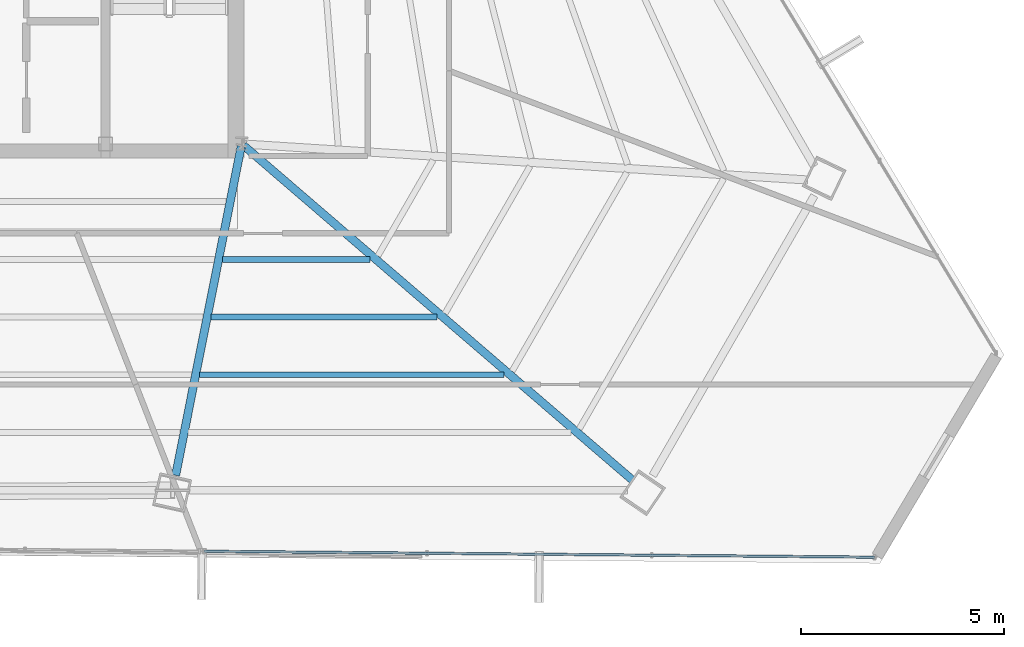
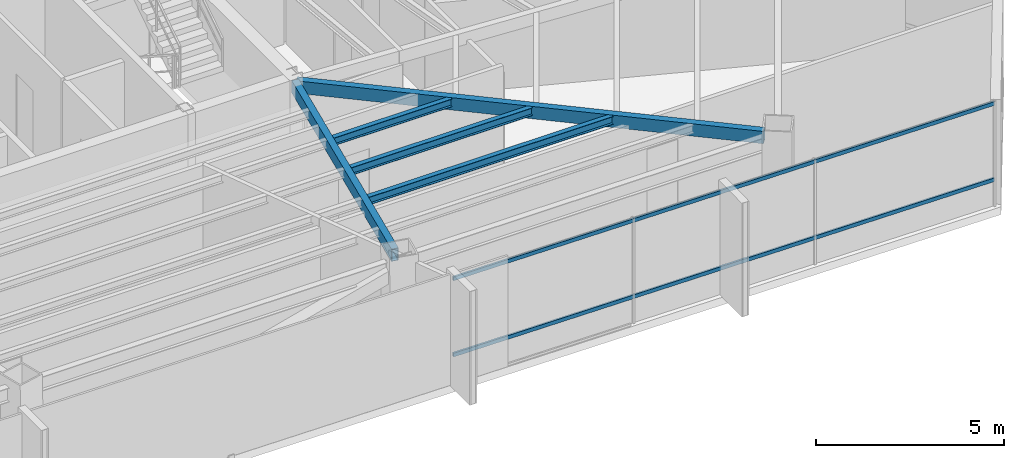
# One storey, part 23 of 47: 5 beams, 2 members, 1 element without a shape of its own.
"""IFC4 building model written with IfcOpenShell, lengths in metres."""

from ifc_helpers import new_model, si_unit, direction, frame, origin, origin_2d, place, context, subcontext, project, spatial, hollow_rectangle, i_section, extrude, source, transform, mapped, material, material_profile, profile_set, type_object, type_shapes, element, aggregate, save


model = new_model("IFC4")

# Units and contexts
model_context = context("Model", 3, precision=1e-05, world=origin(), true_north=direction((0.0, 1.0)))
body_context = subcontext(model_context, "Body", "Model", "MODEL_VIEW")
ifc_project = project(units=[si_unit("LENGTHUNIT", "METRE"), si_unit("AREAUNIT", "SQUARE_METRE"), si_unit("VOLUMEUNIT", "CUBIC_METRE"), si_unit("PLANEANGLEUNIT", "RADIAN"), si_unit("MASSUNIT", "GRAM", prefix="KILO")], contexts=[model_context])

# Site, building, storey
site_placement = place(None, origin())
site = spatial("IfcSite", under=ifc_project, at=site_placement, CompositionType="ELEMENT")
building_placement = place(site_placement, origin())
building = spatial("IfcBuilding", under=site, at=building_placement, Name="Caelisora Broadcast Tower", CompositionType="ELEMENT")
storey_placement = place(building_placement, frame((0.0, 0.0, 229.85009765625)))
storey = spatial("IfcBuildingStorey", under=building, at=storey_placement, Name="L60", CompositionType="ELEMENT", Elevation=229.85009765625)

# Beams
ifc_material_1 = material(Name="Steel Grade 350 (AS/NZS 1163 C350L0)", Category="steel")
ifc_material_profile_1 = material_profile(ifc_material_1, hollow_rectangle(XDim=0.199951171875, YDim=0.39990234375, WallThickness=0.012451171875, at=origin_2d()), Name="Steel Grade 350 (AS/NZS 1163 C350L0)")
ifc_profile_set_1 = profile_set([ifc_material_profile_1], Name="Steel Grade 350 (AS/NZS 1163 C350L0)")
beam_type_1 = type_object("IfcBeamType", Name="PG07", PredefinedType="BEAM", material=ifc_profile_set_1)
shared_shape_1 = source(origin(), body_context, "Body", "SweptSolid", [
    extrude(hollow_rectangle(XDim=0.199951171875, YDim=0.39990234375, WallThickness=0.012451171875, at=origin_2d()), origin(), (0.0, 0.0, 1.0), 12.630615234375),
])
beam_1_placement = place(storey_placement, frame((45.54541015625, 17.36083984375, 3.199951171875), z_axis=(0.758073765396, -0.652168817269, 0.0), x_axis=(0.652168817269, 0.758073765396, 0.0)))
element("IfcBeam", 1, at=beam_1_placement, inside=storey, type_object=beam_type_1, Name="L60 beam PG07", PredefinedType="BEAM", context=body_context, shape_type="MappedRepresentation", body=[
    mapped(shared_shape_1, transform((0.0, 0.0, 0.0), scale=1.0)),
])
shared_shape_2 = source(origin(), body_context, "Body", "SweptSolid", [
    extrude(hollow_rectangle(XDim=0.199951171875, YDim=0.39990234375, WallThickness=0.012451171875, at=origin_2d()), origin(), (0.0, 0.0, 1.0), 8.25341796875),
])
type_shapes(beam_type_1, [shared_shape_1, shared_shape_2])
beam_2_placement = place(storey_placement, frame((45.48828125, 17.34130859375, 3.199951171875), z_axis=(-0.195439147325, -0.980715830245, 0.0), x_axis=(0.980715830245, -0.195439147325, 0.0)))
element("IfcBeam", 2, at=beam_2_placement, inside=storey, type_object=beam_type_1, Name="L60 beam PG07", PredefinedType="BEAM", context=body_context, shape_type="MappedRepresentation", body=[
    mapped(shared_shape_2, transform((0.0, 0.0, 0.0), scale=1.0)),
])
ifc_material_2 = material(Name="Steel Grade 350 (AS/NZS 3679.1)", Category="steel")
ifc_material_profile_2 = material_profile(ifc_material_2, i_section(OverallWidth=0.14599609375, OverallDepth=0.256103515625, WebThickness=0.00634765625, FlangeThickness=0.010986328125, at=origin_2d()), Name="Steel Grade 350 (AS/NZS 3679.1)")
ifc_profile_set_2 = profile_set([ifc_material_profile_2], Name="Steel Grade 350 (AS/NZS 3679.1)")
beam_type_2 = type_object("IfcBeamType", Name="SB04", PredefinedType="JOIST", material=ifc_profile_set_2)
shared_shape_3 = source(origin(), body_context, "Body", "SweptSolid", [
    extrude(i_section(OverallWidth=0.14599609375, OverallDepth=0.256103515625, WebThickness=0.00634765625, FlangeThickness=0.010986328125, at=origin_2d()), origin(), (0.0, 0.0, 1.0), 3.61865234375),
])
beam_3_placement = place(storey_placement, frame((45.032958984375, 14.559326171875, 3.271728515625), z_axis=(1.0, 0.0, 0.0), x_axis=(0.0, 1.0, 0.0)))
element("IfcBeam", 3, at=beam_3_placement, inside=storey, type_object=beam_type_2, Name="L60 beam SB04", PredefinedType="JOIST", context=body_context, shape_type="MappedRepresentation", body=[
    mapped(shared_shape_3, transform((0.0, 0.0, 0.0), scale=1.0)),
])
shared_shape_4 = source(origin(), body_context, "Body", "SweptSolid", [
    extrude(i_section(OverallWidth=0.14599609375, OverallDepth=0.256103515625, WebThickness=0.00634765625, FlangeThickness=0.010986328125, at=origin_2d()), origin(), (0.0, 0.0, 1.0), 5.552490234375),
])
beam_4_placement = place(storey_placement, frame((44.75, 13.13916015625, 3.271728515625), z_axis=(1.0, 0.0, 0.0), x_axis=(0.0, 1.0, 0.0)))
element("IfcBeam", 4, at=beam_4_placement, inside=storey, type_object=beam_type_2, Name="L60 beam SB04", PredefinedType="JOIST", context=body_context, shape_type="MappedRepresentation", body=[
    mapped(shared_shape_4, transform((0.0, 0.0, 0.0), scale=1.0)),
])
shared_shape_5 = source(origin(), body_context, "Body", "SweptSolid", [
    extrude(i_section(OverallWidth=0.14599609375, OverallDepth=0.256103515625, WebThickness=0.00634765625, FlangeThickness=0.010986328125, at=origin_2d()), origin(), (0.0, 0.0, 1.0), 7.486572265625),
])
type_shapes(beam_type_2, [shared_shape_3, shared_shape_4, shared_shape_5])
beam_5_placement = place(storey_placement, frame((44.466796875, 11.718994140625, 3.271728515625), z_axis=(1.0, 0.0, 0.0), x_axis=(0.0, 1.0, 0.0)))
element("IfcBeam", 5, at=beam_5_placement, inside=storey, type_object=beam_type_2, Name="L60 beam SB04", PredefinedType="JOIST", context=body_context, shape_type="MappedRepresentation", body=[
    mapped(shared_shape_5, transform((0.0, 0.0, 0.0), scale=1.0)),
])

# Curtain wall, members
ifc_material_3 = material(Name="Unitised Aluminium and Low-E Glass Curtain Wall", Category="glass")
curtain_wall_type = type_object("IfcCurtainWallType", Name="CW-Z5", PredefinedType="NOTDEFINED", material=ifc_material_3)
curtain_wall_placement = place(storey_placement, origin())
curtain_wall = element("IfcCurtainWall", 6, at=curtain_wall_placement, inside=storey, type_object=curtain_wall_type, Name="L60 curtain wall CW-Z5", PredefinedType="NOTDEFINED")
ifc_material_4 = material(Name="Aluminium 6063-T6 Anodised Terracotta Bronze", Category="aluminium")
ifc_material_profile_3 = material_profile(ifc_material_4, hollow_rectangle(XDim=0.06005859375, YDim=0.1201171875, WallThickness=0.0029296875, at=origin_2d()), Name="Aluminium 6063-T6 Anodised Terracotta Bronze")
ifc_profile_set_3 = profile_set([ifc_material_profile_3], Name="Aluminium 6063-T6 Anodised Terracotta Bronze")
member_type = type_object("IfcMemberType", Name="CWT-03", PredefinedType="USERDEFINED", material=ifc_profile_set_3)
shared_shape_6 = source(origin(), body_context, "Body", "SweptSolid", [
    extrude(hollow_rectangle(XDim=0.06005859375, YDim=0.1201171875, WallThickness=0.0029296875, at=origin_2d()), origin(), (0.0, 0.0, 1.0), 16.493896484375),
])
type_shapes(member_type, [shared_shape_6])
member_1_placement = place(storey_placement, frame((61.071044921875, 7.23046875, 0.849853515625), z_axis=(-0.999960692974, 0.008866369458, 0.0), x_axis=(-0.008866369458, -0.999960692974, 0.0)))
member_1 = element("IfcMember", 7, at=member_1_placement, type_object=member_type, Name="L60-CW-B05 transom #1", ObjectType="TRANSOM", PredefinedType="USERDEFINED", context=body_context, shape_type="MappedRepresentation", body=[
    mapped(shared_shape_6, transform((0.0, 0.0, 0.0), scale=1.0)),
])
member_2_placement = place(storey_placement, frame((61.071044921875, 7.23046875, 3.31982421875), z_axis=(-0.999960692974, 0.008866369458, 0.0), x_axis=(-0.008866369458, -0.999960692974, 0.0)))
member_2 = element("IfcMember", 8, at=member_2_placement, type_object=member_type, Name="L60-CW-B05 transom #2", ObjectType="TRANSOM", PredefinedType="USERDEFINED", context=body_context, shape_type="MappedRepresentation", body=[
    mapped(shared_shape_6, transform((0.0, 0.0, 0.0), scale=1.0)),
])
aggregate(curtain_wall, [member_1, member_2])

save(model, "model.ifc")
